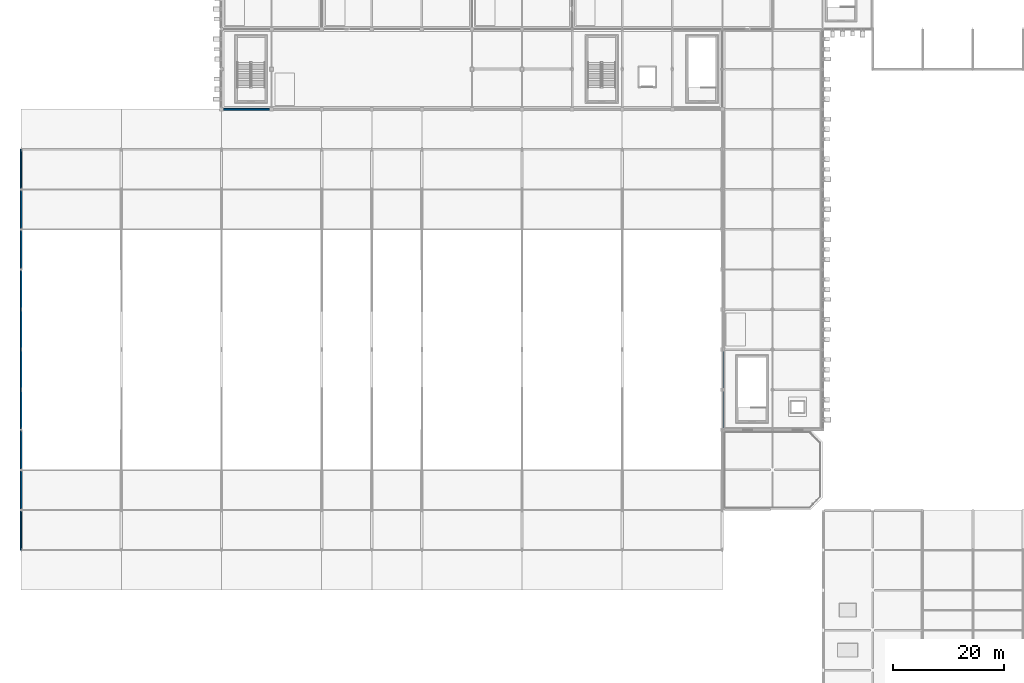
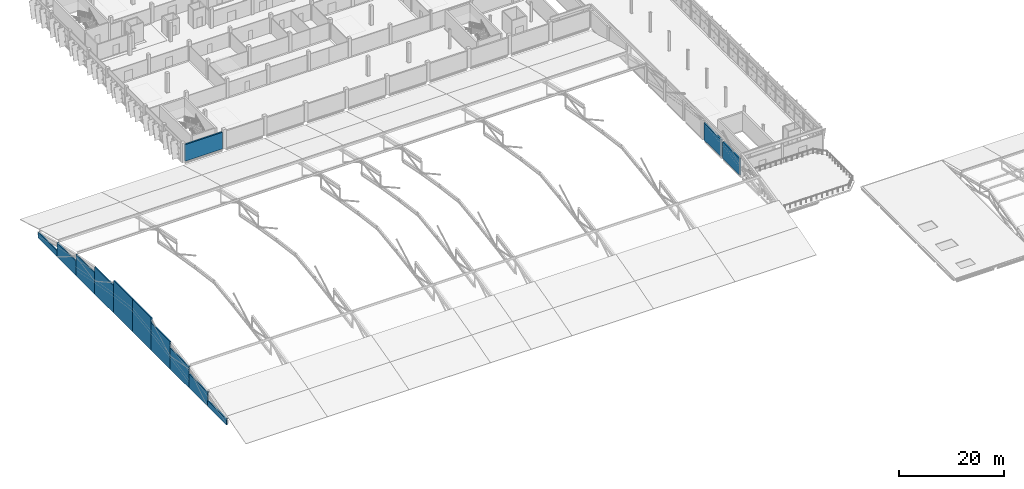
# One storey, part 99 of 124: 13 walls.
"""IFC4 building model written with IfcOpenShell, lengths in metres."""

from ifc_helpers import new_model, si_unit, direction, frame, frame_2d, origin, place, context, subcontext, project, spatial, rectangle, extrude, material, layer, layer_set, type_object, element, save


model = new_model("IFC4")

# Units and contexts
model_context = context("Model", 3, precision=1e-05, world=origin(), true_north=direction((0.0, 1.0)))
body_context = subcontext(model_context, "Body", "Model", "MODEL_VIEW")
ifc_project = project(units=[si_unit("LENGTHUNIT", "METRE"), si_unit("AREAUNIT", "SQUARE_METRE"), si_unit("VOLUMEUNIT", "CUBIC_METRE"), si_unit("PLANEANGLEUNIT", "RADIAN"), si_unit("MASSUNIT", "GRAM", prefix="KILO")], contexts=[model_context])

# Site, building, storey
site_placement = place(None, origin())
site = spatial("IfcSite", under=ifc_project, at=site_placement, CompositionType="ELEMENT")
building_placement = place(site_placement, origin())
building = spatial("IfcBuilding", under=site, at=building_placement, Name="Celestram Park Convention Centre", CompositionType="ELEMENT")
storey_placement = place(building_placement, frame((0.0, 0.0, 15.300048828125)))
storey = spatial("IfcBuildingStorey", under=building, at=storey_placement, Name="L03", CompositionType="ELEMENT", Elevation=15.300048828125)

# Walls
ifc_material = material(Name="Precast Concrete C40/50", Category="concrete")
ifc_layer_1 = layer(ifc_material, 0.260009765625)
ifc_layer_set_1 = layer_set([ifc_layer_1], Name="Precast Concrete C40/50")
wall_type_1 = type_object("IfcWallType", Name="ARC-WL-EXT260", PredefinedType="STANDARD", material=ifc_layer_set_1)
wall_1_placement = place(storey_placement, frame((0.0, 28.800048828125, -0.900146484375), z_axis=(0.0, 0.0, 1.0), x_axis=(0.0, 1.0, 0.0)))
element("IfcWall", 1, at=wall_1_placement, inside=storey, type_object=wall_type_1, Name="Exhibition west arch gable wall 248", PredefinedType="STANDARD", context=body_context, shape_type="SweptSolid", body=[
    extrude(rectangle(XDim=7.199951171875, YDim=0.260009765625, at=frame_2d((3.60009765625, 0.0))), origin(), (0.0, 0.0, 1.0), 1.45849609375),
])
wall_2_placement = place(storey_placement, frame((0.0, 36.0, -0.900146484375), z_axis=(0.0, 0.0, 1.0), x_axis=(0.0, 1.0, 0.0)))
element("IfcWall", 2, at=wall_2_placement, inside=storey, type_object=wall_type_1, Name="Exhibition west arch gable wall 249", PredefinedType="STANDARD", context=body_context, shape_type="SweptSolid", body=[
    extrude(rectangle(XDim=7.199951171875, YDim=0.260009765625, at=frame_2d((3.60009765625, 0.0))), origin(), (0.0, 0.0, 1.0), 3.3369140625),
])
wall_3_placement = place(storey_placement, frame((0.0, 43.199951171875, -0.900146484375), z_axis=(0.0, 0.0, 1.0), x_axis=(0.0, 1.0, 0.0)))
element("IfcWall", 3, at=wall_3_placement, inside=storey, type_object=wall_type_1, Name="Exhibition west arch gable wall 250", PredefinedType="STANDARD", context=body_context, shape_type="SweptSolid", body=[
    extrude(rectangle(XDim=7.199951171875, YDim=0.260009765625, at=frame_2d((3.60009765625, 0.0))), origin(), (0.0, 0.0, 1.0), 4.985107421875),
])
wall_4_placement = place(storey_placement, frame((0.0, 50.39990234375, -0.900146484375), z_axis=(0.0, 0.0, 1.0), x_axis=(0.0, 1.0, 0.0)))
element("IfcWall", 4, at=wall_4_placement, inside=storey, type_object=wall_type_1, Name="Exhibition west arch gable wall 251", PredefinedType="STANDARD", context=body_context, shape_type="SweptSolid", body=[
    extrude(rectangle(XDim=7.2001953125, YDim=0.260009765625, at=frame_2d((3.60009765625, 0.0))), origin(), (0.0, 0.0, 1.0), 6.4033203125),
])
for number, where, z_axis, x_axis, name in (
    (5, (0.0, 57.60009765625, -0.900146484375), (0.0, 0.0, 1.0), (0.0, 1.0, 0.0), "Exhibition west arch gable wall 252"),
    (6, (0.0, 64.800048828125, -0.900146484375), (0.0, 0.0, 1.0), (0.0, 1.0, 0.0), "Exhibition west arch gable wall 253"),
):
    element("IfcWall", number, at=place(storey_placement, frame(where, z_axis=z_axis, x_axis=x_axis)), inside=storey, type_object=wall_type_1, Name=name, PredefinedType="STANDARD", context=body_context, shape_type="SweptSolid", body=[
        extrude(rectangle(XDim=7.199951171875, YDim=0.260009765625, at=frame_2d((3.60009765625, 0.0))), origin(), (0.0, 0.0, 1.0), 7.591796875),
    ])
wall_5_placement = place(storey_placement, frame((0.0, 72.0, -0.900146484375), z_axis=(0.0, 0.0, 1.0), x_axis=(0.0, 1.0, 0.0)))
element("IfcWall", 7, at=wall_5_placement, inside=storey, type_object=wall_type_1, Name="Exhibition west arch gable wall 254", PredefinedType="STANDARD", context=body_context, shape_type="SweptSolid", body=[
    extrude(rectangle(XDim=7.199951171875, YDim=0.260009765625, at=frame_2d((3.60009765625, 0.0))), origin(), (0.0, 0.0, 1.0), 6.4033203125),
])
wall_6_placement = place(storey_placement, frame((0.0, 79.199951171875, -0.900146484375), z_axis=(0.0, 0.0, 1.0), x_axis=(0.0, 1.0, 0.0)))
element("IfcWall", 8, at=wall_6_placement, inside=storey, type_object=wall_type_1, Name="Exhibition west arch gable wall 255", PredefinedType="STANDARD", context=body_context, shape_type="SweptSolid", body=[
    extrude(rectangle(XDim=7.199951171875, YDim=0.260009765625, at=frame_2d((3.60009765625, 0.0))), origin(), (0.0, 0.0, 1.0), 4.985107421875),
])
wall_7_placement = place(storey_placement, frame((0.0, 86.39990234375, -0.900146484375), z_axis=(0.0, 0.0, 1.0), x_axis=(0.0, 1.0, 0.0)))
element("IfcWall", 9, at=wall_7_placement, inside=storey, type_object=wall_type_1, Name="Exhibition west arch gable wall 256", PredefinedType="STANDARD", context=body_context, shape_type="SweptSolid", body=[
    extrude(rectangle(XDim=7.2001953125, YDim=0.260009765625, at=frame_2d((3.60009765625, 0.0))), origin(), (0.0, 0.0, 1.0), 3.3369140625),
])
wall_8_placement = place(storey_placement, frame((0.0, 93.60009765625, -0.900146484375), z_axis=(0.0, 0.0, 1.0), x_axis=(0.0, 1.0, 0.0)))
element("IfcWall", 10, at=wall_8_placement, inside=storey, type_object=wall_type_1, Name="Exhibition west arch gable wall 257", PredefinedType="STANDARD", context=body_context, shape_type="SweptSolid", body=[
    extrude(rectangle(XDim=7.199951171875, YDim=0.260009765625, at=frame_2d((3.60009765625, 0.0))), origin(), (0.0, 0.0, 1.0), 1.45849609375),
])
ifc_layer_2 = layer(ifc_material, 0.320068359375)
ifc_layer_set_2 = layer_set([ifc_layer_2], Name="Precast Concrete C40/50")
wall_type_2 = type_object("IfcWallType", Name="ARC-WL-EXT320", PredefinedType="STANDARD", material=ifc_layer_set_2)
wall_9_placement = place(storey_placement, frame((126.0, 50.748046875, 0.0), z_axis=(0.0, 0.0, 1.0), x_axis=(0.0, 1.0, 0.0)))
element("IfcWall", 11, at=wall_9_placement, inside=storey, type_object=wall_type_2, Name="Bush-hammered precast exterior wall WL-L03-EW171", PredefinedType="STANDARD", context=body_context, shape_type="SweptSolid", body=[
    extrude(rectangle(XDim=6.50390625, YDim=0.320068359375, at=frame_2d((3.251953125, 0.0))), origin(), (0.0, 0.0, 1.0), 3.904052734375),
])
wall_10_placement = place(storey_placement, frame((126.0, 57.947998046875, 0.0), z_axis=(0.0, 0.0, 1.0), x_axis=(0.0, 1.0, 0.0)))
element("IfcWall", 12, at=wall_10_placement, inside=storey, type_object=wall_type_2, Name="Bush-hammered precast exterior wall WL-L03-EW172", PredefinedType="STANDARD", context=body_context, shape_type="SweptSolid", body=[
    extrude(rectangle(XDim=6.50390625, YDim=0.320068359375, at=frame_2d((3.251953125, 0.0))), origin(), (0.0, 0.0, 1.0), 4.010009765625),
])
wall_11_placement = place(storey_placement, frame((44.652099609375, 108.0, 0.0), z_axis=(0.0, 0.0, 1.0), x_axis=(-1.0, 0.0, 0.0)))
element("IfcWall", 13, at=wall_11_placement, inside=storey, type_object=wall_type_2, Name="Bush-hammered precast exterior wall WL-L03-EW188", PredefinedType="STANDARD", context=body_context, shape_type="SweptSolid", body=[
    extrude(rectangle(XDim=8.30419921875, YDim=0.320068359375, at=frame_2d((4.152099609375, 0.0))), origin(), (0.0, 0.0, 1.0), 3.89404296875),
])

save(model, "model.ifc")
